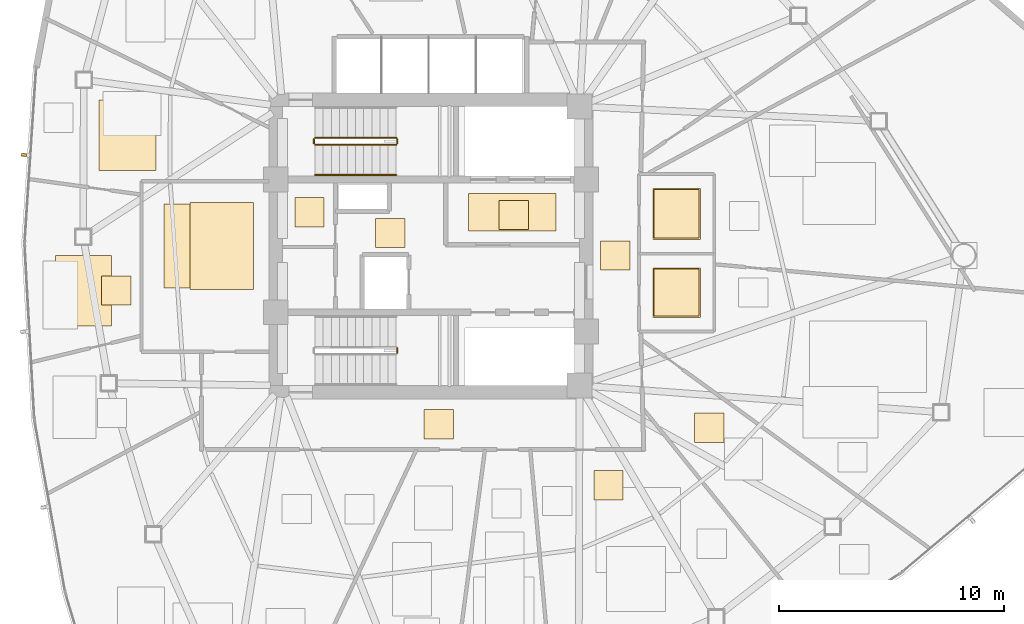
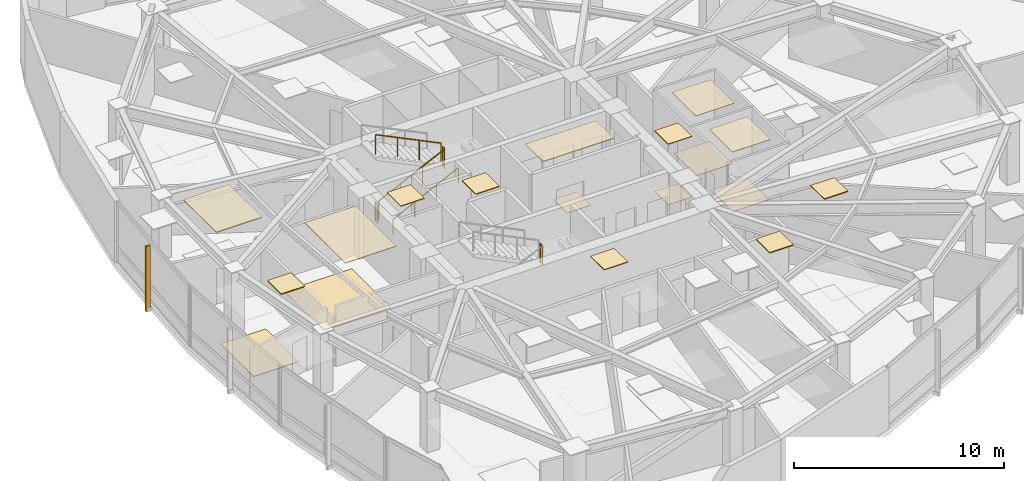
# One storey, part 16 of 18: 18 coverings, 6 railings, 1 shading device.
"""IFC4 building model written with IfcOpenShell, lengths in metres."""

from ifc_helpers import new_model, si_unit, direction, frame, origin, origin_2d, place, context, subcontext, project, spatial, polyline, rectangle, outline, extrude, source, transform, mapped, material, layer, layer_set, type_object, type_shapes, element, save


model = new_model("IFC4")

# Units and contexts
model_context = context("Model", 3, precision=1e-05, world=origin(), true_north=direction((0.0, 1.0)))
body_context = subcontext(model_context, "Body", "Model", "MODEL_VIEW")
ifc_project = project(units=[si_unit("LENGTHUNIT", "METRE"), si_unit("AREAUNIT", "SQUARE_METRE"), si_unit("VOLUMEUNIT", "CUBIC_METRE"), si_unit("PLANEANGLEUNIT", "RADIAN"), si_unit("MASSUNIT", "GRAM", prefix="KILO")], contexts=[model_context])

# Site, building, storey
site_placement = place(None, origin())
site = spatial("IfcSite", under=ifc_project, at=site_placement, CompositionType="ELEMENT")
building_placement = place(site_placement, origin())
building = spatial("IfcBuilding", under=site, at=building_placement, Name="Tavelor Broadcast Tower", CompositionType="ELEMENT")
storey_placement = place(building_placement, frame((0.0, 0.0, 157.949951171875)))
storey = spatial("IfcBuildingStorey", under=building, at=storey_placement, Name="L37", CompositionType="ELEMENT", Elevation=157.949951171875)

# Coverings
ifc_material_1 = material(Name="Copper-Bronze Anodized Aluminium", Category="aluminium")
ifc_layer_1 = layer(ifc_material_1, 0.044921875)
ifc_layer_set_1 = layer_set([ifc_layer_1], Name="Copper-Bronze Anodized Aluminium")
covering_type_1 = type_object("IfcCoveringType", Name="Anodised Bronze Linear Slatted Concourse Ceiling 45 mm", PredefinedType="CEILING", material=ifc_layer_set_1)
covering_1_placement = place(storey_placement, frame((0.0, 0.0, 3.505126953125)))
element("IfcCovering", 1, at=covering_1_placement, inside=storey, type_object=covering_type_1, Name="L37 Suspended Acoustic Ceiling 1518", PredefinedType="CEILING", context=body_context, shape_type="SweptSolid", body=[
    extrude(outline(polyline([(51.659912109375, 45.654296875), (55.55712890625, 45.654296875), (55.55712890625, 47.331787109375), (51.659912109375, 47.331787109375), (51.659912109375, 45.654296875)])), origin(), (0.0, 0.0, 1.0), 0.044921875),
])
covering_2_placement = place(storey_placement, frame((0.0, 0.0, 3.505126953125)))
element("IfcCovering", 2, at=covering_2_placement, inside=storey, type_object=covering_type_1, Name="L37 Suspended Acoustic Ceiling 1519", PredefinedType="CEILING", context=body_context, shape_type="SweptSolid", body=[
    extrude(outline(polyline([(47.5400390625, 44.919921875), (48.840087890625, 44.919921875), (48.840087890625, 46.219970703125), (47.5400390625, 46.219970703125), (47.5400390625, 44.919921875)])), origin(), (0.0, 0.0, 1.0), 0.044921875),
])

# Railing
ifc_material_2 = material(Name="Steel S355", Category="steel")
railing_type_1 = type_object("IfcRailingType", Name="Continuous Brushed Stainless Handrail 900 mm", PredefinedType="HANDRAIL", material=ifc_material_2)
railing_1_placement = place(storey_placement, frame((44.85009765625, 48.14990234375, 0.175048828125)))
element("IfcRailing", 3, at=railing_1_placement, inside=storey, type_object=railing_type_1, Name="L37 ST1 stair handrail 1", PredefinedType="HANDRAIL", context=body_context, shape_type="SweptSolid", body=[
    extrude(rectangle(XDim=0.048095703125, YDim=0.048095703125, at=origin_2d()), frame((0.0, 0.0, 0.8759765625), z_axis=(0.899360859046, 0.0, 0.437207096483), x_axis=(0.0, 1.0, 0.0)), (0.0, 0.0, 1.0), 4.002685546875),
    extrude(rectangle(XDim=0.0419921875, YDim=0.0419921875, at=origin_2d()), origin(), (0.0, 0.0, 1.0), 0.851806640625),
    extrude(rectangle(XDim=0.0419921875, YDim=0.0419921875, at=origin_2d()), frame((1.199951171875, 0.0, 0.583251953125)), (0.0, 0.0, 1.0), 0.851806640625),
    extrude(rectangle(XDim=0.0419921875, YDim=0.0419921875, at=origin_2d()), frame((2.39990234375, 0.0, 1.166748046875)), (0.0, 0.0, 1.0), 0.851806640625),
    extrude(rectangle(XDim=0.0419921875, YDim=0.0419921875, at=origin_2d()), frame((3.599853515625, 0.0, 1.75)), (0.0, 0.0, 1.0), 0.851806640625),
])

# Coverings
ifc_material_3 = material(Name="Architectural Anodized Aluminium", Category="aluminium")
ifc_layer_2 = layer(ifc_material_3, 0.034912109375)
ifc_layer_set_2 = layer_set([ifc_layer_2], Name="Architectural Anodized Aluminium")
covering_type_2 = type_object("IfcCoveringType", Name="Demountable Metal Tile Corridor Ceiling 35 mm", PredefinedType="CEILING", material=ifc_layer_set_2)
covering_3_placement = place(storey_placement, frame((0.0, 0.0, 3.51513671875)))
element("IfcCovering", 4, at=covering_3_placement, inside=storey, type_object=covering_type_2, Name="L37 Suspended Acoustic Ceiling 1521", PredefinedType="CEILING", context=body_context, shape_type="SweptSolid", body=[
    extrude(outline(polyline([(57.5400390625, 43.925048828125), (58.840087890625, 43.925048828125), (58.840087890625, 45.22509765625), (57.5400390625, 45.22509765625), (57.5400390625, 43.925048828125)])), origin(), (0.0, 0.0, 1.0), 0.034912109375),
])
covering_4_placement = place(storey_placement, frame((0.0, 0.0, 3.51513671875)))
element("IfcCovering", 5, at=covering_4_placement, inside=storey, type_object=covering_type_2, Name="L37 Suspended Acoustic Ceiling 1522", PredefinedType="CEILING", context=body_context, shape_type="SweptSolid", body=[
    extrude(outline(polyline([(49.694091796875, 36.425048828125), (50.994140625, 36.425048828125), (50.994140625, 37.72509765625), (49.694091796875, 37.72509765625), (49.694091796875, 36.425048828125)])), origin(), (0.0, 0.0, 1.0), 0.034912109375),
])
ifc_material_4 = material(Name="Acoustic Nylon Carpet Tile")
ifc_layer_3 = layer(ifc_material_4, 0.02001953125)
ifc_layer_set_3 = layer_set([ifc_layer_3], Name="Acoustic Nylon Carpet Tile")
covering_type_3 = type_object("IfcCoveringType", Name="Heavy-Duty Acoustic Broadcast Carpet Tile 20 mm", PredefinedType="FLOORING", material=ifc_layer_set_3)
covering_5_placement = place(storey_placement, origin())
element("IfcCovering", 6, at=covering_5_placement, inside=storey, type_object=covering_type_3, Name="L37 Broadcast Floor Finish 0536", PredefinedType="FLOORING", context=body_context, shape_type="SweptSolid", body=[
    extrude(outline(polyline([(57.5400390625, 43.925048828125), (58.840087890625, 43.925048828125), (58.840087890625, 45.22509765625), (57.5400390625, 45.22509765625), (57.5400390625, 43.925048828125)])), origin(), (0.0, 0.0, 1.0), 0.02001953125),
])
covering_6_placement = place(storey_placement, origin())
element("IfcCovering", 7, at=covering_6_placement, inside=storey, type_object=covering_type_3, Name="L37 Broadcast Floor Finish 0537", PredefinedType="FLOORING", context=body_context, shape_type="SweptSolid", body=[
    extrude(outline(polyline([(38.143798828125, 43.12890625), (41.856201171875, 43.12890625), (41.856201171875, 46.87060546875), (38.143798828125, 46.87060546875), (38.143798828125, 43.12890625)])), origin(), (0.0, 0.0, 1.0), 0.02001953125),
])
ifc_material_5 = material(Name="Honed Natural Limestone Tile", Category="masonry")
ifc_layer_4 = layer(ifc_material_5, 0.030029296875)
ifc_layer_set_4 = layer_set([ifc_layer_4], Name="Honed Natural Limestone Tile")
covering_type_4 = type_object("IfcCoveringType", Name="Honed Jerusalem Limestone Concourse Flooring 30 mm", PredefinedType="FLOORING", material=ifc_layer_set_4)
covering_7_placement = place(storey_placement, origin())
element("IfcCovering", 8, at=covering_7_placement, inside=storey, type_object=covering_type_4, Name="L37 Broadcast Floor Finish 0535", PredefinedType="FLOORING", context=body_context, shape_type="SweptSolid", body=[
    extrude(outline(polyline([(53.030029296875, 45.728515625), (54.330078125, 45.728515625), (54.330078125, 47.028564453125), (53.030029296875, 47.028564453125), (53.030029296875, 45.728515625)])), origin(), (0.0, 0.0, 1.0), 0.030029296875),
])
ifc_material_6 = material(Name="Acoustic Hardwood Studio Flooring", Category="wood")
ifc_layer_5 = layer(ifc_material_6, 0.034912109375)
ifc_layer_set_5 = layer_set([ifc_layer_5], Name="Acoustic Hardwood Studio Flooring")
covering_type_5 = type_object("IfcCoveringType", Name="Isolated Studio Acoustic Elastomeric Floor Finish 35 mm", PredefinedType="FLOORING", material=ifc_layer_set_5)
covering_8_placement = place(storey_placement, origin())
element("IfcCovering", 9, at=covering_8_placement, inside=storey, type_object=covering_type_5, Name="L37 Broadcast Floor Finish 0547", PredefinedType="FLOORING", context=body_context, shape_type="SweptSolid", body=[
    extrude(outline(polyline([(33.31982421875, 41.446044921875), (35.802490234375, 41.446044921875), (35.802490234375, 44.57421875), (33.31982421875, 44.57421875), (33.31982421875, 41.446044921875)])), origin(), (0.0, 0.0, 1.0), 0.03515625),
])
ifc_material_7 = material(Name="Acoustic Perforated Timber Baffle", Category="wood")
ifc_layer_6 = layer(ifc_material_7, 0.054931640625)
ifc_layer_set_6 = layer_set([ifc_layer_6], Name="Acoustic Perforated Timber Baffle")
covering_type_6 = type_object("IfcCoveringType", Name="Micro-Perforated Acoustic Baffle Studio Ceiling 55 mm", PredefinedType="CEILING", material=ifc_layer_set_6)
covering_9_placement = place(storey_placement, frame((0.0, 0.0, 3.4951171875)))
element("IfcCovering", 10, at=covering_9_placement, inside=storey, type_object=covering_type_6, Name="L37 Suspended Acoustic Ceiling 1530", PredefinedType="CEILING", context=body_context, shape_type="SweptSolid", body=[
    extrude(outline(polyline([(61.705810546875, 36.276123046875), (63.005859375, 36.276123046875), (63.005859375, 37.576171875), (61.705810546875, 37.576171875), (61.705810546875, 36.276123046875)])), origin(), (0.0, 0.0, 1.0), 0.054931640625),
])
covering_10_placement = place(storey_placement, frame((0.0, 0.0, 3.4951171875)))
element("IfcCovering", 11, at=covering_10_placement, inside=storey, type_object=covering_type_6, Name="L37 Suspended Acoustic Ceiling 1535", PredefinedType="CEILING", context=body_context, shape_type="SweptSolid", body=[
    extrude(outline(polyline([(57.23193359375, 33.720703125), (58.531982421875, 33.720703125), (58.531982421875, 35.0205078125), (57.23193359375, 35.0205078125), (57.23193359375, 33.720703125)])), origin(), (0.0, 0.0, 1.0), 0.054931640625),
])
covering_11_placement = place(storey_placement, frame((0.0, 0.0, 3.4951171875)))
element("IfcCovering", 12, at=covering_11_placement, inside=storey, type_object=covering_type_6, Name="L37 Suspended Acoustic Ceiling 1548", PredefinedType="CEILING", context=body_context, shape_type="SweptSolid", body=[
    extrude(outline(polyline([(35.36669921875, 42.36865234375), (36.66650390625, 42.36865234375), (36.66650390625, 43.668701171875), (35.36669921875, 43.668701171875), (35.36669921875, 42.36865234375)])), origin(), (0.0, 0.0, 1.0), 0.054931640625),
])
covering_12_placement = place(storey_placement, frame((0.0, 0.0, 3.4951171875)))
element("IfcCovering", 13, at=covering_12_placement, inside=storey, type_object=covering_type_6, Name="L37 Suspended Acoustic Ceiling 1551", PredefinedType="CEILING", context=body_context, shape_type="SweptSolid", body=[
    extrude(outline(polyline([(35.260498046875, 48.35107421875), (37.779052734375, 48.35107421875), (37.779052734375, 51.484375), (35.260498046875, 51.484375), (35.260498046875, 48.35107421875)])), origin(), (0.0, 0.0, 1.0), 0.054931640625),
])
ifc_layer_7 = layer(ifc_material_3, 0.030029296875)
ifc_layer_set_7 = layer_set([ifc_layer_7], Name="Architectural Anodized Aluminium")
covering_type_7 = type_object("IfcCoveringType", Name="Moisture-Resistant Washroom Ceiling 30 mm", PredefinedType="CEILING", material=ifc_layer_set_7)
covering_13_placement = place(storey_placement, frame((0.0, 0.0, 3.52001953125)))
element("IfcCovering", 14, at=covering_13_placement, inside=storey, type_object=covering_type_7, Name="L37 Suspended Acoustic Ceiling 1524", PredefinedType="CEILING", context=body_context, shape_type="SweptSolid", body=[
    extrude(outline(polyline([(59.85302734375, 41.828369140625), (61.967041015625, 41.828369140625), (61.967041015625, 44.021484375), (59.85302734375, 44.021484375), (59.85302734375, 41.828369140625)])), origin(), (0.0, 0.0, 1.0), 0.030029296875),
])
covering_14_placement = place(storey_placement, frame((0.0, 0.0, 3.52001953125)))
element("IfcCovering", 15, at=covering_14_placement, inside=storey, type_object=covering_type_7, Name="L37 Suspended Acoustic Ceiling 1525", PredefinedType="CEILING", context=body_context, shape_type="SweptSolid", body=[
    extrude(outline(polyline([(59.85302734375, 45.29248046875), (61.967041015625, 45.29248046875), (61.967041015625, 47.5576171875), (59.85302734375, 47.5576171875), (59.85302734375, 45.29248046875)])), origin(), (0.0, 0.0, 1.0), 0.030029296875),
])
ifc_material_8 = material(Name="Slip-Resistant Porcelain Tile")
ifc_layer_8 = layer(ifc_material_8, 0.02490234375)
ifc_layer_set_8 = layer_set([ifc_layer_8], Name="Slip-Resistant Porcelain Tile")
covering_type_8 = type_object("IfcCoveringType", Name="Slip-Resistant Porcelain Wet-Area Floor Tile 25 mm", PredefinedType="FLOORING", material=ifc_layer_set_8)
covering_15_placement = place(storey_placement, origin())
element("IfcCovering", 16, at=covering_15_placement, inside=storey, type_object=covering_type_8, Name="L37 Broadcast Floor Finish 0538", PredefinedType="FLOORING", context=body_context, shape_type="SweptSolid", body=[
    extrude(outline(polyline([(59.91064453125, 41.885986328125), (61.909423828125, 41.885986328125), (61.909423828125, 43.964111328125), (59.91064453125, 43.964111328125), (59.91064453125, 41.885986328125)])), origin(), (0.0, 0.0, 1.0), 0.025146484375),
])
covering_16_placement = place(storey_placement, origin())
element("IfcCovering", 17, at=covering_16_placement, inside=storey, type_object=covering_type_8, Name="L37 Broadcast Floor Finish 0539", PredefinedType="FLOORING", context=body_context, shape_type="SweptSolid", body=[
    extrude(outline(polyline([(59.91064453125, 45.35009765625), (61.909423828125, 45.35009765625), (61.909423828125, 47.5), (59.91064453125, 47.5), (59.91064453125, 45.35009765625)])), origin(), (0.0, 0.0, 1.0), 0.025146484375),
])

# Railings
railing_type_2 = type_object("IfcRailingType", Name="Stairwell Steel Safety Guardrail 1150 mm", PredefinedType="GUARDRAIL", material=ifc_material_2)
railing_2_placement = place(storey_placement, frame((44.85009765625, 49.5, 0.175048828125)))
element("IfcRailing", 18, at=railing_2_placement, inside=storey, type_object=railing_type_2, Name="L37 ST1 stair guard 1", PredefinedType="GUARDRAIL", context=body_context, shape_type="SweptSolid", body=[
    extrude(rectangle(XDim=0.048095703125, YDim=0.048095703125, at=origin_2d()), frame((0.0, 0.0, 1.1259765625), z_axis=(0.899360859046, 0.0, 0.437207096483), x_axis=(0.0, 1.0, 0.0)), (0.0, 0.0, 1.0), 4.002685546875),
    extrude(rectangle(XDim=0.0419921875, YDim=0.0419921875, at=origin_2d()), origin(), (0.0, 0.0, 1.0), 1.101806640625),
    extrude(rectangle(XDim=0.0419921875, YDim=0.0419921875, at=origin_2d()), frame((1.199951171875, 0.0, 0.583251953125)), (0.0, 0.0, 1.0), 1.101806640625),
    extrude(rectangle(XDim=0.0419921875, YDim=0.0419921875, at=origin_2d()), frame((2.39990234375, 0.0, 1.166748046875)), (0.0, 0.0, 1.0), 1.101806640625),
    extrude(rectangle(XDim=0.0419921875, YDim=0.0419921875, at=origin_2d()), frame((3.599853515625, 0.0, 1.75)), (0.0, 0.0, 1.0), 1.101806640625),
])
railing_3_placement = place(storey_placement, frame((48.5, 49.550048828125, 1.925048828125)))
element("IfcRailing", 19, at=railing_3_placement, inside=storey, type_object=railing_type_2, Name="L37 ST1 stair guard 2", PredefinedType="GUARDRAIL", context=body_context, shape_type="SweptSolid", body=[
    extrude(rectangle(XDim=0.048095703125, YDim=0.048095703125, at=origin_2d()), frame((0.0, 0.0, 1.1259765625), z_axis=(0.0, 1.0, 0.0), x_axis=(-1.0, 0.0, 0.0)), (0.0, 0.0, 1.0), 0.199951171875),
    extrude(rectangle(XDim=0.0419921875, YDim=0.0419921875, at=origin_2d()), origin(), (0.0, 0.0, 1.0), 1.101806640625),
    extrude(rectangle(XDim=0.0419921875, YDim=0.0419921875, at=origin_2d()), frame((0.0, 0.199951171875, 0.0)), (0.0, 0.0, 1.0), 1.101806640625),
])
railing_4_placement = place(storey_placement, frame((48.449951171875, 49.800048828125, 2.10009765625)))
element("IfcRailing", 20, at=railing_4_placement, inside=storey, type_object=railing_type_2, Name="L37 ST1 stair guard 3", PredefinedType="GUARDRAIL", context=body_context, shape_type="SweptSolid", body=[
    extrude(rectangle(XDim=0.048095703125, YDim=0.048095703125, at=origin_2d()), frame((0.0, 0.0, 1.1259765625), z_axis=(-0.899360859046, 0.0, 0.437207096483), x_axis=(0.0, -1.0, 0.0)), (0.0, 0.0, 1.0), 4.002685546875),
    extrude(rectangle(XDim=0.0419921875, YDim=0.0419921875, at=origin_2d()), origin(), (0.0, 0.0, 1.0), 1.101806640625),
    extrude(rectangle(XDim=0.0419921875, YDim=0.0419921875, at=origin_2d()), frame((-1.199951171875, 0.0, 0.583251953125)), (0.0, 0.0, 1.0), 1.101806640625),
    extrude(rectangle(XDim=0.0419921875, YDim=0.0419921875, at=origin_2d()), frame((-2.39990234375, 0.0, 1.166748046875)), (0.0, 0.0, 1.0), 1.101806640625),
    extrude(rectangle(XDim=0.0419921875, YDim=0.0419921875, at=origin_2d()), frame((-3.599853515625, 0.0, 1.75)), (0.0, 0.0, 1.0), 1.101806640625),
])
for number, where, name in (
    (21, (44.800048828125, 49.550048828125, 0.0), "L37 ST1 stair guard 4"),
    (22, (48.5, 40.25, 1.925048828125), "L37 ST2 stair guard 2"),
):
    element("IfcRailing", number, at=place(storey_placement, frame(where)), inside=storey, type_object=railing_type_2, Name=name, PredefinedType="GUARDRAIL", context=body_context, shape_type="SweptSolid", body=[
        extrude(rectangle(XDim=0.048095703125, YDim=0.048095703125, at=origin_2d()), frame((0.0, 0.0, 1.1259765625), z_axis=(0.0, 1.0, 0.0), x_axis=(-1.0, 0.0, 0.0)), (0.0, 0.0, 1.0), 0.199951171875),
        extrude(rectangle(XDim=0.0419921875, YDim=0.0419921875, at=origin_2d()), origin(), (0.0, 0.0, 1.0), 1.101806640625),
        extrude(rectangle(XDim=0.0419921875, YDim=0.0419921875, at=origin_2d()), frame((0.0, 0.199951171875, 0.0)), (0.0, 0.0, 1.0), 1.101806640625),
    ])

# Coverings
ifc_material_9 = material(Name="Acoustic Mineral Fibre Tile")
ifc_layer_9 = layer(ifc_material_9, 0.0400390625)
ifc_layer_set_9 = layer_set([ifc_layer_9], Name="Acoustic Mineral Fibre Tile")
covering_type_9 = type_object("IfcCoveringType", Name="Suspended Acoustic Mineral-Fibre Office Ceiling 40 mm", PredefinedType="CEILING", material=ifc_layer_set_9)
covering_17_placement = place(storey_placement, frame((0.0, 0.0, 3.510009765625)))
element("IfcCovering", 23, at=covering_17_placement, inside=storey, type_object=covering_type_9, Name="L37 Suspended Acoustic Ceiling 1520", PredefinedType="CEILING", context=body_context, shape_type="SweptSolid", body=[
    extrude(outline(polyline([(43.951416015625, 45.843017578125), (45.25146484375, 45.843017578125), (45.25146484375, 47.14306640625), (43.951416015625, 47.14306640625), (43.951416015625, 45.843017578125)])), origin(), (0.0, 0.0, 1.0), 0.0400390625),
])
covering_18_placement = place(storey_placement, frame((0.0, 0.0, 3.510009765625)))
element("IfcCovering", 24, at=covering_18_placement, inside=storey, type_object=covering_type_9, Name="L37 Suspended Acoustic Ceiling 1523", PredefinedType="CEILING", context=body_context, shape_type="SweptSolid", body=[
    extrude(outline(polyline([(39.2998046875, 43.0712890625), (42.111328125, 43.0712890625), (42.111328125, 46.927978515625), (39.2998046875, 46.927978515625), (39.2998046875, 43.0712890625)])), origin(), (0.0, 0.0, 1.0), 0.0400390625),
])

# Shading device
ifc_material_10 = material(Name="Kiln-Fired Glazed Terracotta", Category="masonry")
shading_device_type = type_object("IfcShadingDeviceType", Name="Extruded Terracotta Baguette Sun-Screen 110x240", PredefinedType="JALOUSIE", material=ifc_material_10)
shared_shape = source(origin(), body_context, "Body", "SweptSolid", [
    extrude(rectangle(XDim=0.110107421875, YDim=0.239990234375, at=origin_2d()), origin(), (0.0, 0.0, 1.0), 3.7900390625),
])
type_shapes(shading_device_type, [shared_shape])
shading_device_placement = place(storey_placement, frame((31.90380859375, 49.0419921875, -0.260009765625), z_axis=(0.0, 0.0, 1.0), x_axis=(-0.065925597951, -0.997824541457, 0.0)))
element("IfcShadingDevice", 25, at=shading_device_placement, inside=storey, type_object=shading_device_type, Name="L37 Terracotta Baguette Fin 373", PredefinedType="JALOUSIE", context=body_context, shape_type="MappedRepresentation", body=[
    mapped(shared_shape, transform((0.0, 0.0, 0.0), scale=1.0)),
])

save(model, "model.ifc")
